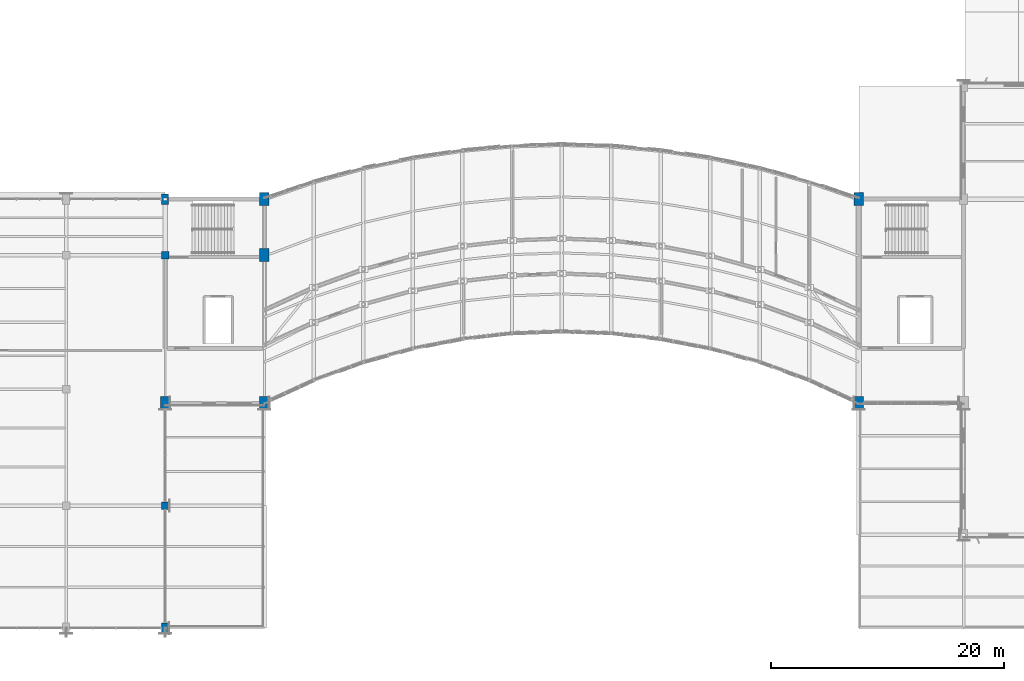
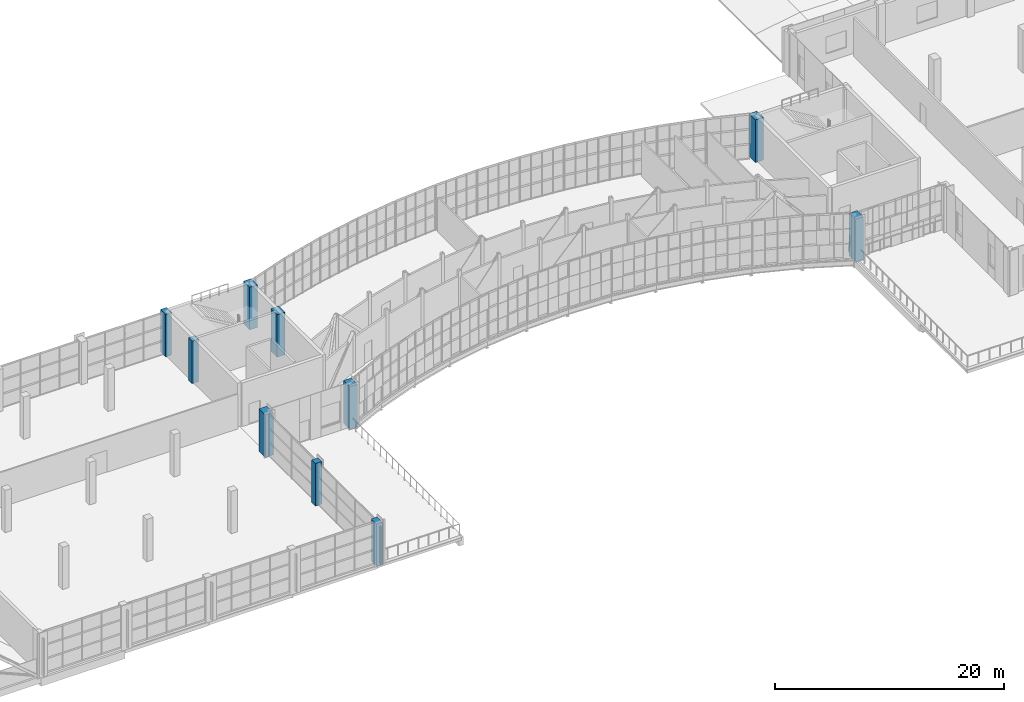
# One storey, part 4 of 86: 10 columns.
"""IFC4 building model written with IfcOpenShell, lengths in metres."""

from ifc_helpers import new_model, si_unit, direction, frame, origin, origin_2d, place, context, subcontext, project, spatial, rectangle, extrude, material, material_profile, profile_set, type_object, element, save


model = new_model("IFC4")

# Units and contexts
model_context = context("Model", 3, precision=1e-05, world=origin(), true_north=direction((0.0, 1.0)))
body_context = subcontext(model_context, "Body", "Model", "MODEL_VIEW")
ifc_project = project(units=[si_unit("LENGTHUNIT", "METRE"), si_unit("AREAUNIT", "SQUARE_METRE"), si_unit("VOLUMEUNIT", "CUBIC_METRE"), si_unit("PLANEANGLEUNIT", "RADIAN"), si_unit("MASSUNIT", "GRAM", prefix="KILO")], contexts=[model_context])

# Site, building, storey
site_placement = place(None, origin())
site = spatial("IfcSite", under=ifc_project, at=site_placement, CompositionType="ELEMENT")
building_placement = place(site_placement, origin())
building = spatial("IfcBuilding", under=site, at=building_placement, Name="Solvikara Media Centre", CompositionType="ELEMENT")
storey_placement = place(building_placement, frame((0.0, 0.0, 15.0)))
storey = spatial("IfcBuildingStorey", under=building, at=storey_placement, Name="L03", CompositionType="ELEMENT", Elevation=15.0)

# Columns
ifc_material = material(Name="Concrete fc' 45 MPa (C45/55)", Category="concrete")
ifc_material_profile_1 = material_profile(ifc_material, rectangle(XDim=0.64990234375, YDim=0.64990234375, at=origin_2d()), Name="RC 650x650")
ifc_profile_set_1 = profile_set([ifc_material_profile_1], Name="Concrete fc' 45 MPa (C45/55)")
column_type_1 = type_object("IfcColumnType", Name="CL-02", PredefinedType="COLUMN", material=ifc_profile_set_1)
for number, where, z_axis, x_axis, name in (
    (1, (68.0, 10.5, 0.0), (0.0, 0.0, 1.0), (1.0, 0.0, 0.0), "C-L03-0680-0105"),
    (2, (68.0, 32.0, 0.0), (0.0, 0.0, 1.0), (1.0, 0.0, 0.0), "C-L03-0680-0320"),
):
    element("IfcColumn", number, at=place(storey_placement, frame(where, z_axis=z_axis, x_axis=x_axis)), inside=storey, type_object=column_type_1, Name=name, PredefinedType="COLUMN", context=body_context, shape_type="SweptSolid", body=[
        extrude(rectangle(XDim=0.64990234375, YDim=0.64990234375, at=origin_2d()), origin(), (0.0, 0.0, 1.0), 4.52001953125),
    ])
ifc_material_profile_2 = material_profile(ifc_material, rectangle(XDim=0.60009765625, YDim=0.89990234375, at=origin_2d()), Name="RC 600x900")
ifc_profile_set_2 = profile_set([ifc_material_profile_2], Name="Concrete fc' 45 MPa (C45/55)")
column_type_2 = type_object("IfcColumnType", Name="CL-10", PredefinedType="COLUMN", material=ifc_profile_set_2)
column_1_placement = place(storey_placement, frame((68.0, 0.0, 0.0), z_axis=(0.0, 0.0, 1.0), x_axis=(1.0, 0.0, 0.0)))
element("IfcColumn", 3, at=column_1_placement, inside=storey, type_object=column_type_2, Name="C-L03-0680-0000", PredefinedType="COLUMN", context=body_context, shape_type="SweptSolid", body=[
    extrude(rectangle(XDim=0.60009765625, YDim=0.89990234375, at=origin_2d()), origin(), (0.0, 0.0, 1.0), 4.52001953125),
])
column_2_placement = place(storey_placement, frame((68.0, 36.800048828125, 0.0), z_axis=(0.0, 0.0, 1.0), x_axis=(1.0, 0.0, 0.0)))
element("IfcColumn", 4, at=column_2_placement, inside=storey, type_object=column_type_2, Name="C-L03-0680-0368", PredefinedType="COLUMN", context=body_context, shape_type="SweptSolid", body=[
    extrude(rectangle(XDim=0.60009765625, YDim=0.89990234375, at=origin_2d()), origin(), (0.0, 0.0, 1.0), 4.530029296875),
])
ifc_material_profile_3 = material_profile(ifc_material, rectangle(XDim=0.800048828125, YDim=1.10009765625, at=origin_2d()), Name="RC 800x1100")
ifc_profile_set_3 = profile_set([ifc_material_profile_3], Name="Concrete fc' 45 MPa (C45/55)")
column_type_3 = type_object("IfcColumnType", Name="CL-17", PredefinedType="COLUMN", material=ifc_profile_set_3)
for number, where, z_axis, x_axis, name in (
    (5, (76.5, 32.0, 0.0), (0.0, 0.0, 1.0), (1.0, 0.0, 0.0), "C-L03-0765-0320"),
    (6, (76.5, 36.800048828125, 0.0), (0.0, 0.0, 1.0), (1.0, 0.0, 0.0), "C-L03-0765-0368"),
):
    element("IfcColumn", number, at=place(storey_placement, frame(where, z_axis=z_axis, x_axis=x_axis)), inside=storey, type_object=column_type_3, Name=name, PredefinedType="COLUMN", context=body_context, shape_type="SweptSolid", body=[
        extrude(rectangle(XDim=0.800048828125, YDim=1.10009765625, at=origin_2d()), origin(), (0.0, 0.0, 1.0), 4.5400390625),
    ])
column_3_placement = place(storey_placement, frame((68.0, 19.323974609375, 0.0), z_axis=(0.0, 0.0, 1.0), x_axis=(1.0, 0.0, 0.0)))
element("IfcColumn", 7, at=column_3_placement, inside=storey, type_object=column_type_3, Name="C-L03-0680-0193", PredefinedType="COLUMN", context=body_context, shape_type="SweptSolid", body=[
    extrude(rectangle(XDim=0.800048828125, YDim=1.10009765625, at=origin_2d()), origin(), (0.0, 0.0, 1.0), 4.52001953125),
])
for number, where, z_axis, x_axis, name in (
    (8, (76.5, 19.323974609375, 0.0), (0.0, 0.0, 1.0), (1.0, 0.0, 0.0), "C-L03-0765-0193"),
    (9, (127.5, 36.800048828125, 0.0), (0.0, 0.0, 1.0), (1.0, 0.0, 0.0), "C-L03-1275-0368"),
    (10, (127.5, 19.323974609375, 0.0), (0.0, 0.0, 1.0), (1.0, 0.0, 0.0), "C-L03-1275-0193"),
):
    element("IfcColumn", number, at=place(storey_placement, frame(where, z_axis=z_axis, x_axis=x_axis)), inside=storey, type_object=column_type_3, Name=name, PredefinedType="COLUMN", context=body_context, shape_type="SweptSolid", body=[
        extrude(rectangle(XDim=0.800048828125, YDim=1.10009765625, at=origin_2d()), origin(), (0.0, 0.0, 1.0), 4.5400390625),
    ])

save(model, "model.ifc")
